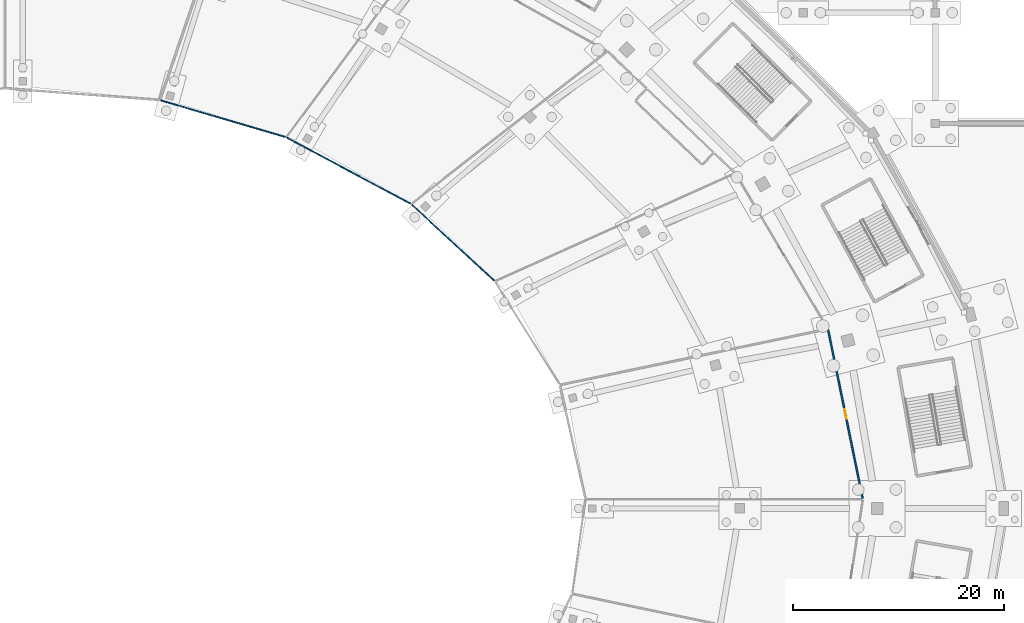
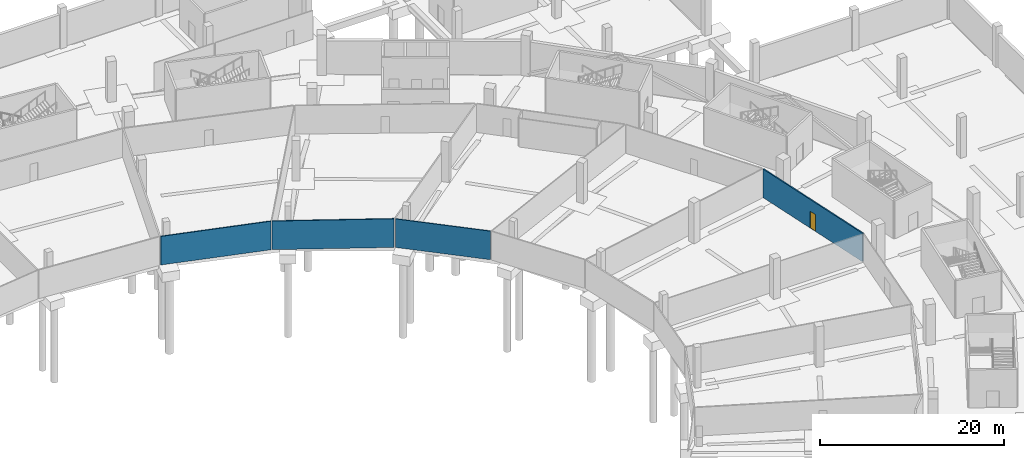
# One storey, part 42 of 74: 4 walls, 1 door, 1 opening.
"""IFC4 building model written with IfcOpenShell, lengths in metres."""

from ifc_helpers import new_model, si_unit, direction, frame, frame_2d, origin, place, context, subcontext, project, spatial, rectangle, extrude, material, layer, layer_set, type_object, element, fill, save


model = new_model("IFC4")

# Units and contexts
model_context = context("Model", 3, precision=1e-05, world=origin(), true_north=direction((0.0, 1.0)))
body_context = subcontext(model_context, "Body", "Model", "MODEL_VIEW")
ifc_project = project(units=[si_unit("LENGTHUNIT", "METRE"), si_unit("AREAUNIT", "SQUARE_METRE"), si_unit("VOLUMEUNIT", "CUBIC_METRE"), si_unit("PLANEANGLEUNIT", "RADIAN"), si_unit("MASSUNIT", "GRAM", prefix="KILO")], contexts=[model_context])

# Site, building, storey
site_placement = place(None, origin())
site = spatial("IfcSite", under=ifc_project, at=site_placement, CompositionType="ELEMENT")
building_placement = place(site_placement, origin())
building = spatial("IfcBuilding", under=site, at=building_placement, Name="Zlatoyarsky Gate Stadium", CompositionType="ELEMENT")
storey_placement = place(building_placement, frame((0.0, 0.0, -5.39990234375)))
storey = spatial("IfcBuildingStorey", under=building, at=storey_placement, Name="B1", CompositionType="ELEMENT", Elevation=-5.39990234375)

# Wall
ifc_material_1 = material(Name="Anodised aluminium acoustic operable wall", Category="aluminium")
ifc_layer_1 = layer(ifc_material_1, 0.114990234375)
ifc_layer_set_1 = layer_set([ifc_layer_1], Name="Anodised aluminium acoustic operable wall")
wall_type_1 = type_object("IfcWallType", Name="ACOUSTIC OPERABLE SUITE WALL 115", PredefinedType="MOVABLE", material=ifc_layer_set_1)
wall_1_placement = place(storey_placement, frame((135.9013671875, 115.21240234375, 0.0), z_axis=(0.0, 0.0, 1.0), x_axis=(-0.959194951666, 0.28274554762, 0.0)))
element("IfcWall", 1, at=wall_1_placement, inside=storey, type_object=wall_type_1, Name="B1 interior partition PRT-B1-IRN-04", PredefinedType="MOVABLE", context=body_context, shape_type="SweptSolid", body=[
    extrude(rectangle(XDim=12.321533203125, YDim=0.114990234375, at=frame_2d((6.16064453125, 0.0))), origin(), (0.0, 0.0, 1.0), 3.7998046875),
])

# Wall, opening, door
ifc_material_2 = material(Name="Metal-stud gypsum partition", Category="gypsum")
ifc_layer_2 = layer(ifc_material_2, 0.14990234375)
ifc_layer_set_2 = layer_set([ifc_layer_2], Name="Metal-stud gypsum partition")
wall_type_2 = type_object("IfcWallType", Name="CONCOURSE CORRIDOR PARTITION 150", PredefinedType="PARTITIONING", material=ifc_layer_set_2)
wall_2_placement = place(storey_placement, frame((190.62890625, 80.969970703125, 0.0), z_axis=(0.0, 0.0, 1.0), x_axis=(-0.200895858008, 0.979612604163, 0.0)))
wall_2 = element("IfcWall", 2, at=wall_2_placement, inside=storey, type_object=wall_type_2, Name="B1 interior partition PRT-B1-ICC-00", PredefinedType="PARTITIONING", context=body_context, shape_type="SweptSolid", body=[
    extrude(rectangle(XDim=16.2978515625, YDim=0.14990234375, at=frame_2d((8.14892578125, 0.0))), origin(), (0.0, 0.0, 1.0), 3.7998046875),
])
opening_placement = place(wall_2_placement, frame((7.698974609375, 0.0, 0.0)))
opening = element("IfcOpeningElement", 3, at=opening_placement, cuts=wall_2, Name="Opening D-B1-002", PredefinedType="OPENING", context=body_context, shape_type="SweptSolid", body=[
    extrude(rectangle(XDim=0.89990234375, YDim=2.239990234375, at=frame_2d((0.449951171875, 1.1201171875))), frame((0.0, 0.0849609375, 0.0), z_axis=(0.0, -1.0, 0.0), x_axis=(1.0, 0.0, 0.0)), (0.0, 0.0, 1.0), 0.169921875),
])
ifc_material_3 = material(Name="Powder-coated steel fire door", Category="steel")
door_type = type_object("IfcDoorType", Name="ACOUSTIC INTERIOR DOOR 900X2240", OperationType="NOTDEFINED", PredefinedType="DOOR", material=ifc_material_3)
door_placement = place(opening_placement, origin())
door = element("IfcDoor", 4, at=door_placement, inside=storey, type_object=door_type, Name="B1 room door D-B1-002", OperationType="SINGLE_SWING_LEFT", OverallHeight=2.239990234375, OverallWidth=0.89990234375, PredefinedType="DOOR", context=body_context, shape_type="SweptSolid", body=[
    extrude(rectangle(XDim=0.89990234375, YDim=2.239990234375, at=frame_2d((0.449951171875, 1.1201171875))), frame((0.0, 0.02490234375, 0.0), z_axis=(0.0, -1.0, 0.0), x_axis=(1.0, 0.0, 0.0)), (0.0, 0.0, 1.0), 0.050048828125),
])
fill(opening, door)

# Walls
ifc_layer_3 = layer(ifc_material_2, 0.10009765625)
ifc_layer_set_3 = layer_set([ifc_layer_3], Name="Metal-stud gypsum partition")
wall_type_3 = type_object("IfcWallType", Name="LIGHT STORAGE PARTITION 100", PredefinedType="PARTITIONING", material=ifc_layer_set_3)
wall_3_placement = place(storey_placement, frame((155.6943359375, 101.593017578125, 0.0), z_axis=(0.0, 0.0, 1.0), x_axis=(-0.734501023732, 0.678607578897, 0.0)))
element("IfcWall", 5, at=wall_3_placement, inside=storey, type_object=wall_type_3, Name="B1 interior partition PRT-B1-IRN-02", PredefinedType="PARTITIONING", context=body_context, shape_type="SweptSolid", body=[
    extrude(rectangle(XDim=10.618408203125, YDim=0.10009765625, at=frame_2d((5.30908203125, 0.0))), origin(), (0.0, 0.0, 1.0), 3.7998046875),
])
ifc_layer_4 = layer(ifc_material_2, 0.1201171875)
ifc_layer_set_4 = layer_set([ifc_layer_4], Name="Metal-stud gypsum partition")
wall_type_4 = type_object("IfcWallType", Name="OFFICE AND PRESS PARTITION 120", PredefinedType="PARTITIONING", material=ifc_layer_set_4)
wall_4_placement = place(storey_placement, frame((147.7578125, 108.896728515625, 0.0), z_axis=(0.0, 0.0, 1.0), x_axis=(-0.88199300204, 0.471262500474, 0.0)))
element("IfcWall", 6, at=wall_4_placement, inside=storey, type_object=wall_type_4, Name="B1 interior partition PRT-B1-IRN-03", PredefinedType="PARTITIONING", context=body_context, shape_type="SweptSolid", body=[
    extrude(rectangle(XDim=13.265380859375, YDim=0.1201171875, at=frame_2d((6.6328125, 0.0))), origin(), (0.0, 0.0, 1.0), 3.7998046875),
])

save(model, "model.ifc")
